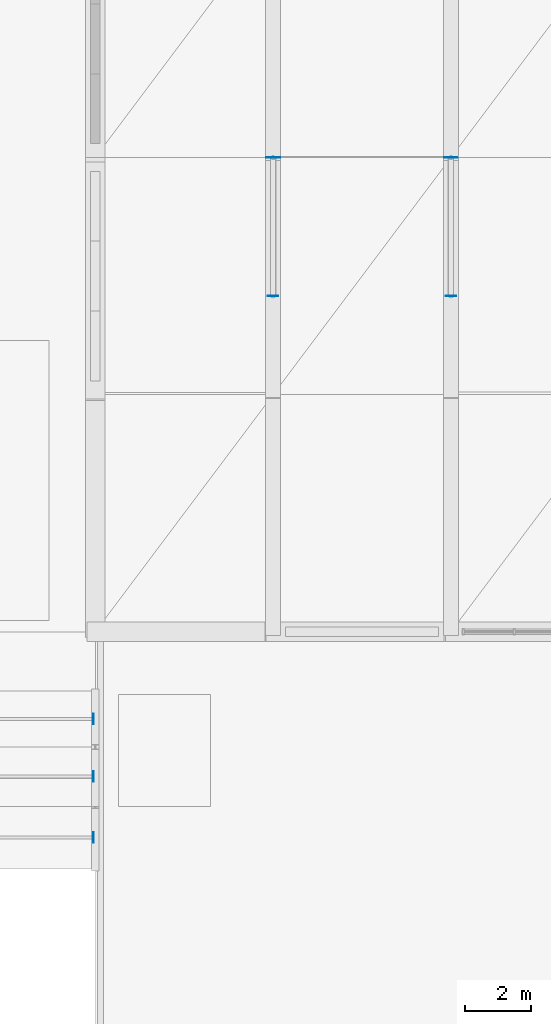
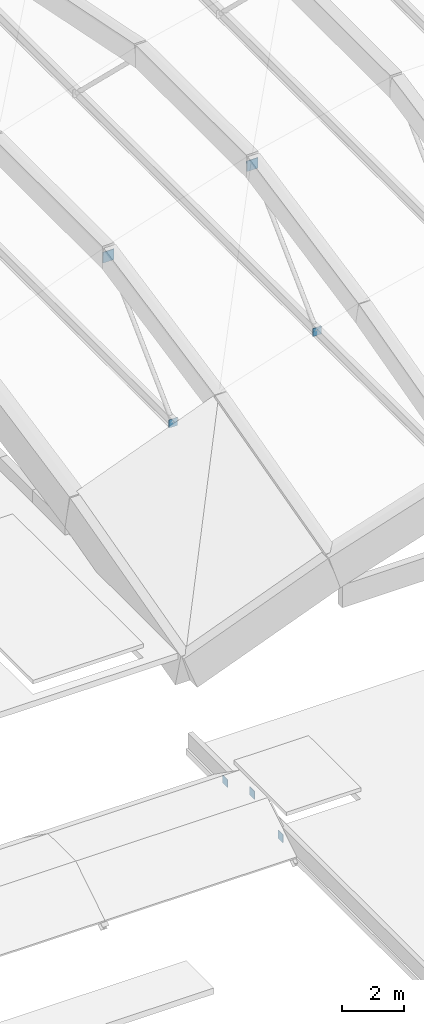
# One storey, part 13 of 27: 7 plates.
"""IFC4 building model written with IfcOpenShell, lengths in metres."""

from ifc_helpers import new_model, si_unit, direction, frame, origin, origin_2d, place, context, subcontext, project, spatial, rectangle, extrude, material, layer, layer_set, type_object, element, save


model = new_model("IFC4")

# Units and contexts
model_context = context("Model", 3, precision=1e-05, world=origin(), true_north=direction((0.0, 1.0)))
body_context = subcontext(model_context, "Body", "Model", "MODEL_VIEW")
ifc_project = project(units=[si_unit("LENGTHUNIT", "METRE"), si_unit("AREAUNIT", "SQUARE_METRE"), si_unit("VOLUMEUNIT", "CUBIC_METRE"), si_unit("PLANEANGLEUNIT", "RADIAN"), si_unit("MASSUNIT", "GRAM", prefix="KILO")], contexts=[model_context])

# Site, building, storey
site_placement = place(None, origin())
site = spatial("IfcSite", under=ifc_project, at=site_placement, CompositionType="ELEMENT")
building_placement = place(site_placement, origin())
building = spatial("IfcBuilding", under=site, at=building_placement, Name="Tazoul Stagehouse", CompositionType="ELEMENT")
storey_placement = place(building_placement, frame((0.0, 0.0, 24.89990234375)))
storey = spatial("IfcBuildingStorey", under=building, at=storey_placement, Name="RF", CompositionType="ELEMENT", Elevation=24.89990234375)

# Plates
ifc_material = material(Name="Steel S355", Category="steel")
ifc_layer_1 = layer(ifc_material, 0.02001953125, Name="Steel S355")
ifc_layer_set_1 = layer_set([ifc_layer_1], Name="Steel S355")
plate_type_1 = type_object("IfcPlateType", Name="Steel Brace End-Cap Plate 320x320x20", PredefinedType="USERDEFINED", material=ifc_layer_set_1)
for number, where, z_axis, x_axis, name in (
    (1, (63.0, 62.0, -6.9951171875), (0.0, 0.0, 1.0), (0.0, 1.0, 0.0), "RF Gusset End-Cap Plate GP-01 (SHELL-STRUT-02S-1)"),
    (2, (68.39990234375, 62.0, -5.26025390625), (0.0, 0.0, 1.0), (0.0, 1.0, 0.0), "RF Gusset End-Cap Plate GP-01 (SHELL-STRUT-03S-1)"),
):
    element("IfcPlate", number, at=place(storey_placement, frame(where, z_axis=z_axis, x_axis=x_axis)), inside=storey, type_object=plate_type_1, Name=name, ObjectType="GUSSET PLATE", PredefinedType="USERDEFINED", context=body_context, shape_type="SweptSolid", body=[
        extrude(rectangle(XDim=0.02001953125, YDim=0.320068359375, at=origin_2d()), origin(), (0.0, 0.0, 1.0), 0.320068359375),
    ])
ifc_layer_2 = layer(ifc_material, 0.02001953125, Name="Steel S355")
ifc_layer_set_2 = layer_set([ifc_layer_2], Name="Steel S355")
plate_type_2 = type_object("IfcPlateType", Name="Steel Brace End-Cap Plate 320x320x20 (Exterior)", PredefinedType="USERDEFINED", material=ifc_layer_set_2)
for number, where, z_axis, x_axis, name in (
    (3, (57.5400390625, 45.550048828125, -11.52001953125), (0.0, 0.0, 1.0), (1.0, 0.0, 0.0), "RF Purlin End-Cap Plate GP-01E (PURL-VP-W4-1-2)"),
    (4, (57.5400390625, 47.39990234375, -10.919921875), (0.0, 0.0, 1.0), (1.0, 0.0, 0.0), "RF Purlin End-Cap Plate GP-01E (PURL-VP-W4-2-2)"),
    (5, (57.5400390625, 49.14990234375, -11.52001953125), (0.0, 0.0, 1.0), (1.0, 0.0, 0.0), "RF Purlin End-Cap Plate GP-01E (PURL-VP-W4-3-2)"),
):
    element("IfcPlate", number, at=place(storey_placement, frame(where, z_axis=z_axis, x_axis=x_axis)), inside=storey, type_object=plate_type_2, Name=name, ObjectType="GUSSET PLATE", PredefinedType="USERDEFINED", context=body_context, shape_type="SweptSolid", body=[
        extrude(rectangle(XDim=0.02001953125, YDim=0.320068359375, at=origin_2d()), origin(), (0.0, 0.0, 1.0), 0.320068359375),
    ])
ifc_layer_3 = layer(ifc_material, 0.02392578125, Name="Steel S355")
ifc_layer_set_3 = layer_set([ifc_layer_3], Name="Steel S355")
plate_type_3 = type_object("IfcPlateType", Name="Steel Gusset Node Plate 420x420x24", PredefinedType="USERDEFINED", material=ifc_layer_set_3)
for number, where, z_axis, x_axis, name in (
    (6, (63.0, 66.199951171875, -2.9775390625), (0.0, 0.0, 1.0), (0.0, 1.0, 0.0), "RF Gusset End-Cap Plate GP-02 (SHELL-STRUT-02S-2)"),
    (7, (68.39990234375, 66.199951171875, -1.242919921875), (0.0, 0.0, 1.0), (0.0, 1.0, 0.0), "RF Gusset End-Cap Plate GP-02 (SHELL-STRUT-03S-2)"),
):
    element("IfcPlate", number, at=place(storey_placement, frame(where, z_axis=z_axis, x_axis=x_axis)), inside=storey, type_object=plate_type_3, Name=name, ObjectType="GUSSET PLATE", PredefinedType="USERDEFINED", context=body_context, shape_type="SweptSolid", body=[
        extrude(rectangle(XDim=0.02392578125, YDim=0.419921875, at=origin_2d()), origin(), (0.0, 0.0, 1.0), 0.419921875),
    ])

save(model, "model.ifc")
